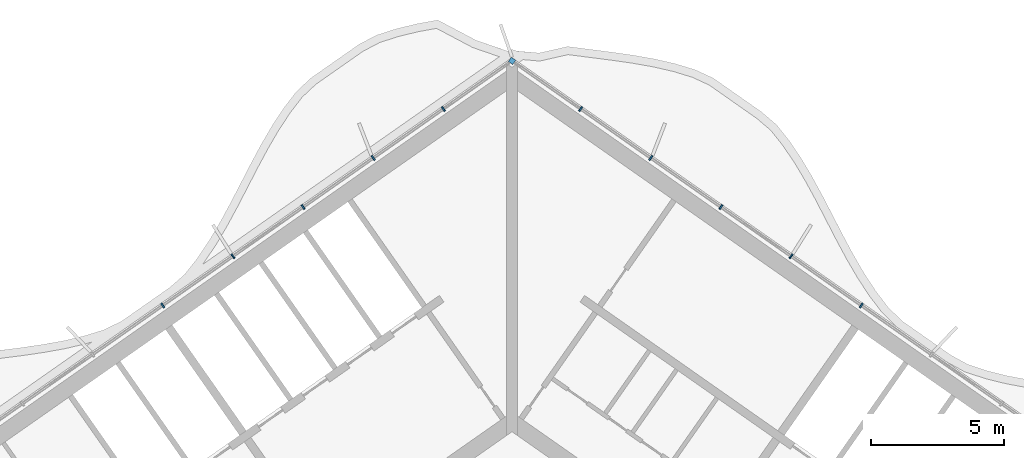
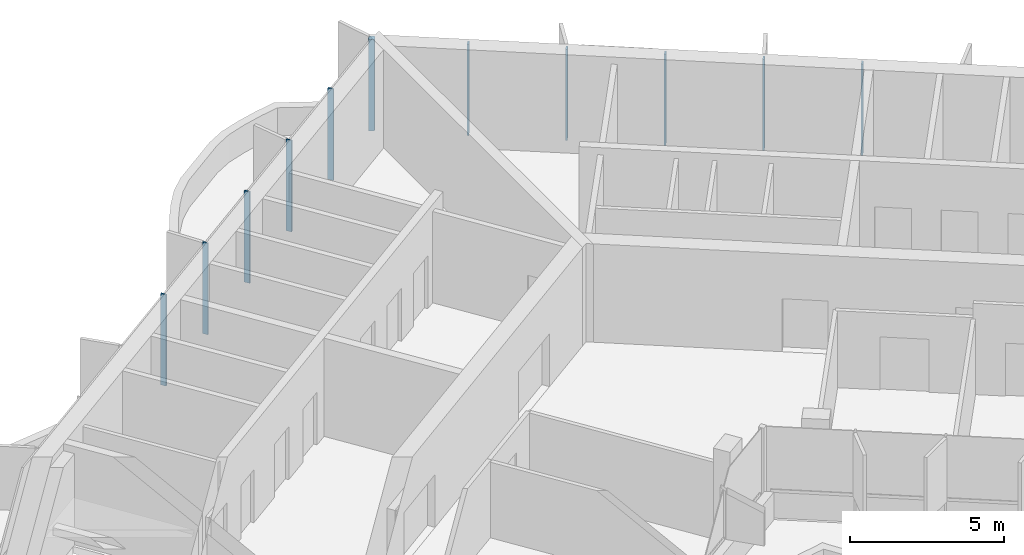
# One storey, part 6 of 17: 11 members, 1 element without a shape of its own.
"""IFC4 building model written with IfcOpenShell, lengths in metres."""

import ifcopenshell
import ifcopenshell.guid

model = None  # the IFC model being written
_history = None  # IfcOwnerHistory: only IFC2X3 demands one
_inside = {}  # id of a spatial element -> (the spatial element, [elements in it])
_under = {}  # id of a project, library or spatial element -> (it, [spatial elements below it])
_declared = {}  # id of a project -> (the project, [libraries it declares])
_typed = {}  # id of a type object -> (the type object, [elements of that type])
_made_of = {}  # id of a material, layer set ... -> (it, [elements and type objects made of it])


def new_model(schema):
    """Start an empty IFC model of exactly this schema.

    Asked for "IFC4X3", IfcOpenShell would pick the latest addendum, in which some entities
    have other attributes; the version numbers below select the first issue.
    IFC2X3 requires an IfcOwnerHistory on every rooted entity: one is made here for all.
    """
    global model, _history
    if schema == "IFC4X3":
        model = ifcopenshell.file(schema_version=(4, 3, 0, 0))
    else:
        model = ifcopenshell.file(schema=schema)
    _inside.clear()
    _under.clear()
    _declared.clear()
    _typed.clear()
    _made_of.clear()
    _history = None
    if model.schema == "IFC2X3":
        org = make("IfcOrganization", Name="unknown")
        user = make(
            "IfcPersonAndOrganization",
            ThePerson=make("IfcPerson", FamilyName="unknown"),
            TheOrganization=org,
        )
        app = make(
            "IfcApplication",
            ApplicationDeveloper=org,
            Version="unknown",
            ApplicationFullName="unknown",
            ApplicationIdentifier="unknown",
        )
        _history = make(
            "IfcOwnerHistory",
            OwningUser=user,
            OwningApplication=app,
            ChangeAction="ADDED",
            CreationDate=0,
        )
    return model


def make(cls, **values):
    """One entity of the class cls with the attributes given. An attribute that is None is left unset."""
    return model.create_entity(
        cls, **{name: value for name, value in values.items() if value is not None}
    )


def rooted(cls, **values):
    """An entity with a GlobalId (a new one), such as an element, a storey or a relation."""
    return make(cls, GlobalId=ifcopenshell.guid.new(), OwnerHistory=_history, **values)


def si_unit(unit_type, name, prefix=None):
    """IfcSIUnit, for example si_unit("LENGTHUNIT", "METRE", prefix="MILLI")."""
    return make("IfcSIUnit", UnitType=unit_type, Prefix=prefix, Name=name)


def assignment(units):
    """IfcUnitAssignment: the units of a project."""
    return None if units is None else make("IfcUnitAssignment", Units=units)


def point(xyz):
    """IfcCartesianPoint."""
    return None if xyz is None else make("IfcCartesianPoint", Coordinates=xyz)


def direction(xyz):
    """IfcDirection."""
    return None if xyz is None else make("IfcDirection", DirectionRatios=xyz)


def frame(location, z_axis=None, x_axis=None):
    """IfcAxis2Placement3D, a coordinate frame: its origin and axes. An axis left out is left unset."""
    return make(
        "IfcAxis2Placement3D",
        Location=point(location),
        Axis=direction(z_axis),
        RefDirection=direction(x_axis),
    )


def frame_2d(location, x_axis=None):
    """IfcAxis2Placement2D, a coordinate frame in the plane: its origin and x axis."""
    return make(
        "IfcAxis2Placement2D", Location=point(location), RefDirection=direction(x_axis)
    )


def origin():
    """The frame at (0, 0, 0) with its axes left unset."""
    return frame((0.0, 0.0, 0.0))


def origin_2d():
    """The frame at (0, 0) in the plane with its x axis left unset."""
    return frame_2d((0.0, 0.0))


def place(relative_to, where):
    """IfcLocalPlacement: puts the frame where relative to a parent placement (None: the world)."""
    return make(
        "IfcLocalPlacement", PlacementRelTo=relative_to, RelativePlacement=where
    )


def context(
    kind, dimensions, precision=None, world=None, true_north=None, identifier=None
):
    """IfcGeometricRepresentationContext, for example the 3D "Model" context."""
    return make(
        "IfcGeometricRepresentationContext",
        ContextIdentifier=identifier,
        ContextType=kind,
        CoordinateSpaceDimension=dimensions,
        Precision=precision,
        WorldCoordinateSystem=world,
        TrueNorth=true_north,
    )


def subcontext(parent, identifier, kind, view, scale=None):
    """IfcGeometricRepresentationSubContext, for example "Body" below "Model"."""
    return make(
        "IfcGeometricRepresentationSubContext",
        ContextIdentifier=identifier,
        ContextType=kind,
        ParentContext=parent,
        TargetScale=scale,
        TargetView=view,
    )


def project(units=None, contexts=None):
    """IfcProject with its units and contexts."""
    return rooted(
        "IfcProject",
        Name="project",
        RepresentationContexts=contexts,
        UnitsInContext=assignment(units),
    )


def spatial(cls, under=None, at=None, **own):
    """A site, building, storey or space (cls), placed at a placement, below another one or the project."""
    s = rooted(cls, ObjectPlacement=at, **own)
    if under is not None:
        _under.setdefault(under.id(), (under, []))[1].append(s)
    return s


def profile(cls, at=None, kind="AREA", **sizes):
    """A parametric profile (cls). Its sizes go by their IFC names, for example OverallWidth=200.0."""
    return make(cls, ProfileType=kind, Position=at, **sizes)


def rectangle(**sizes):
    """IfcRectangleProfileDef."""
    return profile("IfcRectangleProfileDef", **sizes)


def extrude(swept, where, along, depth):
    """IfcExtrudedAreaSolid: the profile swept, set in the frame where, extruded along a direction by depth."""
    return make(
        "IfcExtrudedAreaSolid",
        SweptArea=swept,
        Position=where,
        ExtrudedDirection=direction(along),
        Depth=depth,
    )


def shape(context_of_items, identifier, shape_type, items):
    """IfcShapeRepresentation: the items that make up one representation, for example the "Body"."""
    return make(
        "IfcShapeRepresentation",
        ContextOfItems=context_of_items,
        RepresentationIdentifier=identifier,
        RepresentationType=shape_type,
        Items=items,
    )


def material(Name=None, Category=None):
    """IfcMaterial."""
    return make("IfcMaterial", Name=Name, Category=Category)


def material_profile(
    of_material, cross_section, Name=None, Category=None, Priority=None
):
    """IfcMaterialProfile: a cross section and its material."""
    return make(
        "IfcMaterialProfile",
        Name=Name,
        Material=of_material,
        Profile=cross_section,
        Priority=Priority,
        Category=Category,
    )


def profile_set(profiles, Name=None, composite=None):
    """IfcMaterialProfileSet."""
    return make(
        "IfcMaterialProfileSet",
        Name=Name,
        MaterialProfiles=profiles,
        CompositeProfile=composite,
    )


def made_of(thing, what):
    """Note that an element or type object is made of a material, layer set ...; save() writes the relation."""
    if what is not None:
        _made_of.setdefault(what.id(), (what, []))[1].append(thing)
    return thing


def type_object(cls, material=None, **own):
    """A type object (cls), such as IfcWallType, which elements share."""
    return made_of(rooted(cls, **own), material)


def element(
    cls,
    number,
    at=None,
    inside=None,
    cuts=None,
    type_object=None,
    material=None,
    context=None,
    identifier="Body",
    shape_type=None,
    held_by="IfcProductDefinitionShape",
    body=None,
    shapes=None,
    **own,
):
    """One element of the class cls, such as IfcWall. Its Tag is "e" and its number.

    at: its placement. inside: the storey or other place that contains it. cuts: it is an
    opening in that element (IfcRelVoidsElement). A single representation is given by context,
    identifier, shape_type and body (its items); several are given by shapes. held_by: the class
    of the entity that holds the representations. save() writes the other relations.
    """
    e = rooted(cls, Tag="e%d" % number, ObjectPlacement=at, **own)
    if body is not None:
        shapes = [shape(context, identifier, shape_type, body)]
    if shapes is not None:
        e.Representation = make(held_by, Representations=shapes)
    if inside is not None:
        _inside.setdefault(inside.id(), (inside, []))[1].append(e)
    if cuts is not None:
        rooted(
            "IfcRelVoidsElement", RelatingBuildingElement=cuts, RelatedOpeningElement=e
        )
    if type_object is not None:
        _typed.setdefault(type_object.id(), (type_object, []))[1].append(e)
    return made_of(e, material)


def aggregate(whole, parts):
    """IfcRelAggregates: a whole, such as a stair, and the parts it consists of."""
    return rooted("IfcRelAggregates", RelatingObject=whole, RelatedObjects=parts)


def save(model, path):
    """Write the relations noted so far, then the file.

    IfcRelAggregates (storeys below a building ...), IfcRelContainedInSpatialStructure (elements
    in a storey), IfcRelDefinesByType, IfcRelAssociatesMaterial and IfcRelDeclares: one each for
    every whole, place, type object, material and project.
    """
    for whole, parts in _under.values():
        aggregate(whole, parts)
    for where, things in _inside.values():
        rooted(
            "IfcRelContainedInSpatialStructure",
            RelatedElements=things,
            RelatingStructure=where,
        )
    for kind, things in _typed.values():
        rooted("IfcRelDefinesByType", RelatedObjects=things, RelatingType=kind)
    for what, things in _made_of.values():
        rooted("IfcRelAssociatesMaterial", RelatedObjects=things, RelatingMaterial=what)
    for by, libraries in _declared.values():
        rooted("IfcRelDeclares", RelatingContext=by, RelatedDefinitions=libraries)
    model.write(path)


model = new_model("IFC4")

# Units and contexts
model_context = context("Model", 3, precision=1e-05, world=origin(), true_north=direction((0.0, 1.0)))
body_context = subcontext(model_context, "Body", "Model", "MODEL_VIEW")
ifc_project = project(units=[si_unit("LENGTHUNIT", "METRE"), si_unit("AREAUNIT", "SQUARE_METRE"), si_unit("VOLUMEUNIT", "CUBIC_METRE"), si_unit("PLANEANGLEUNIT", "RADIAN"), si_unit("MASSUNIT", "GRAM", prefix="KILO")], contexts=[model_context])

# Site, building, storey
site_placement = place(None, origin())
site = spatial("IfcSite", under=ifc_project, at=site_placement, CompositionType="ELEMENT")
building_placement = place(site_placement, origin())
building = spatial("IfcBuilding", under=site, at=building_placement, Name="Tel Ilan Convention Tower", CompositionType="ELEMENT")
storey_placement = place(building_placement, frame((0.0, 0.0, 283.89990234375)))
storey = spatial("IfcBuildingStorey", under=building, at=storey_placement, Name="L67", CompositionType="ELEMENT", Elevation=283.89990234375)

# Curtain wall, members
ifc_material_1 = material(Name="Aluminium, bronze anodised", Category="aluminium")
curtain_wall_type = type_object("IfcCurtainWallType", Name="CW2 STICK CURTAIN WALL, SPANDREL PANELS", PredefinedType="NOTDEFINED", material=ifc_material_1)
curtain_wall_placement = place(storey_placement, origin())
curtain_wall = element("IfcCurtainWall", 1, at=curtain_wall_placement, inside=storey, type_object=curtain_wall_type, Name="Curtain wall CW2-50.01", PredefinedType="NOTDEFINED")
ifc_material_2 = material(Name="Aluminium, bronze anodised", Category="aluminium")
ifc_material_profile_1 = material_profile(ifc_material_2, rectangle(XDim=0.199951171875, YDim=0.199951171875, at=origin_2d()), Name="CW CORNER MULLION 200x200")
ifc_profile_set_1 = profile_set([ifc_material_profile_1], Name="Aluminium, bronze anodised")
member_type_1 = type_object("IfcMemberType", Name="CW CORNER MULLION 200x200", PredefinedType="MULLION", material=ifc_profile_set_1)
member_1_placement = place(storey_placement, frame((0.0, 12.696044921875, 0.0), z_axis=(0.0, 0.0, 1.0), x_axis=(-0.819152044289, 0.573576436351, 0.0)))
member_1 = element("IfcMember", 2, at=member_1_placement, type_object=member_type_1, Name="Corner mullion", PredefinedType="MULLION", context=body_context, shape_type="SweptSolid", body=[
    extrude(rectangle(XDim=0.199951171875, YDim=0.199951171875, at=origin_2d()), origin(), (0.0, 0.0, 1.0), 3.6201171875),
])
ifc_material_3 = material(Name="Aluminium, bronze anodised", Category="aluminium")
ifc_material_profile_2 = material_profile(ifc_material_3, rectangle(XDim=0.06005859375, YDim=0.199951171875, at=origin_2d()), Name="CW MULLION 60x200")
ifc_profile_set_2 = profile_set([ifc_material_profile_2], Name="Aluminium, bronze anodised")
member_type_2 = type_object("IfcMemberType", Name="CW MULLION 60x200", PredefinedType="MULLION", material=ifc_profile_set_2)
member_2_placement = place(storey_placement, frame((13.105712890625, 3.519287109375, 0.0), z_axis=(0.0, 0.0, 1.0), x_axis=(-0.819152044289, 0.573576436351, 0.0)))
member_2 = element("IfcMember", 3, at=member_2_placement, type_object=member_type_2, Name="Mullion", PredefinedType="MULLION", context=body_context, shape_type="SweptSolid", body=[
    extrude(rectangle(XDim=0.06005859375, YDim=0.199951171875, at=origin_2d()), origin(), (0.0, 0.0, 1.0), 3.6201171875),
])
member_3_placement = place(storey_placement, frame((10.47314453125, 5.36279296875, 0.0), z_axis=(0.0, 0.0, 1.0), x_axis=(-0.819152044289, 0.573576436351, 0.0)))
member_3 = element("IfcMember", 4, at=member_3_placement, type_object=member_type_2, Name="Mullion", PredefinedType="MULLION", context=body_context, shape_type="SweptSolid", body=[
    extrude(rectangle(XDim=0.06005859375, YDim=0.199951171875, at=origin_2d()), origin(), (0.0, 0.0, 1.0), 3.6201171875),
])
member_4_placement = place(storey_placement, frame((7.840576171875, 7.2060546875, 0.0), z_axis=(0.0, 0.0, 1.0), x_axis=(-0.819152044289, 0.573576436351, 0.0)))
member_4 = element("IfcMember", 5, at=member_4_placement, type_object=member_type_2, Name="Mullion", PredefinedType="MULLION", context=body_context, shape_type="SweptSolid", body=[
    extrude(rectangle(XDim=0.06005859375, YDim=0.199951171875, at=origin_2d()), origin(), (0.0, 0.0, 1.0), 3.6201171875),
])
member_5_placement = place(storey_placement, frame((5.207763671875, 9.049560546875, 0.0), z_axis=(0.0, 0.0, 1.0), x_axis=(-0.819152044289, 0.573576436351, 0.0)))
member_5 = element("IfcMember", 6, at=member_5_placement, type_object=member_type_2, Name="Mullion", PredefinedType="MULLION", context=body_context, shape_type="SweptSolid", body=[
    extrude(rectangle(XDim=0.06005859375, YDim=0.199951171875, at=origin_2d()), origin(), (0.0, 0.0, 1.0), 3.6201171875),
])
member_6_placement = place(storey_placement, frame((2.5751953125, 10.892822265625, 0.0), z_axis=(0.0, 0.0, 1.0), x_axis=(-0.819152044289, 0.573576436351, 0.0)))
member_6 = element("IfcMember", 7, at=member_6_placement, type_object=member_type_2, Name="Mullion", PredefinedType="MULLION", context=body_context, shape_type="SweptSolid", body=[
    extrude(rectangle(XDim=0.06005859375, YDim=0.199951171875, at=origin_2d()), origin(), (0.0, 0.0, 1.0), 3.6201171875),
])
member_7_placement = place(storey_placement, frame((-2.5751953125, 10.892822265625, 0.0), z_axis=(0.0, 0.0, 1.0), x_axis=(-0.819152044289, -0.573576436351, 0.0)))
member_7 = element("IfcMember", 8, at=member_7_placement, type_object=member_type_2, Name="Mullion", PredefinedType="MULLION", context=body_context, shape_type="SweptSolid", body=[
    extrude(rectangle(XDim=0.06005859375, YDim=0.199951171875, at=origin_2d()), origin(), (0.0, 0.0, 1.0), 3.6201171875),
])
member_8_placement = place(storey_placement, frame((-5.207763671875, 9.049560546875, 0.0), z_axis=(0.0, 0.0, 1.0), x_axis=(-0.819152044289, -0.573576436351, 0.0)))
member_8 = element("IfcMember", 9, at=member_8_placement, type_object=member_type_2, Name="Mullion", PredefinedType="MULLION", context=body_context, shape_type="SweptSolid", body=[
    extrude(rectangle(XDim=0.06005859375, YDim=0.199951171875, at=origin_2d()), origin(), (0.0, 0.0, 1.0), 3.6201171875),
])
member_9_placement = place(storey_placement, frame((-7.840576171875, 7.2060546875, 0.0), z_axis=(0.0, 0.0, 1.0), x_axis=(-0.819152044289, -0.573576436351, 0.0)))
member_9 = element("IfcMember", 10, at=member_9_placement, type_object=member_type_2, Name="Mullion", PredefinedType="MULLION", context=body_context, shape_type="SweptSolid", body=[
    extrude(rectangle(XDim=0.06005859375, YDim=0.199951171875, at=origin_2d()), origin(), (0.0, 0.0, 1.0), 3.6201171875),
])
member_10_placement = place(storey_placement, frame((-10.47314453125, 5.36279296875, 0.0), z_axis=(0.0, 0.0, 1.0), x_axis=(-0.819152044289, -0.573576436351, 0.0)))
member_10 = element("IfcMember", 11, at=member_10_placement, type_object=member_type_2, Name="Mullion", PredefinedType="MULLION", context=body_context, shape_type="SweptSolid", body=[
    extrude(rectangle(XDim=0.06005859375, YDim=0.199951171875, at=origin_2d()), origin(), (0.0, 0.0, 1.0), 3.6201171875),
])
member_11_placement = place(storey_placement, frame((-13.105712890625, 3.519287109375, 0.0), z_axis=(0.0, 0.0, 1.0), x_axis=(-0.819152044289, -0.573576436351, 0.0)))
member_11 = element("IfcMember", 12, at=member_11_placement, type_object=member_type_2, Name="Mullion", PredefinedType="MULLION", context=body_context, shape_type="SweptSolid", body=[
    extrude(rectangle(XDim=0.06005859375, YDim=0.199951171875, at=origin_2d()), origin(), (0.0, 0.0, 1.0), 3.6201171875),
])
aggregate(curtain_wall, [member_2, member_3, member_4, member_5, member_6, member_1, member_7, member_8, member_9, member_10, member_11])

save(model, "model.ifc")
